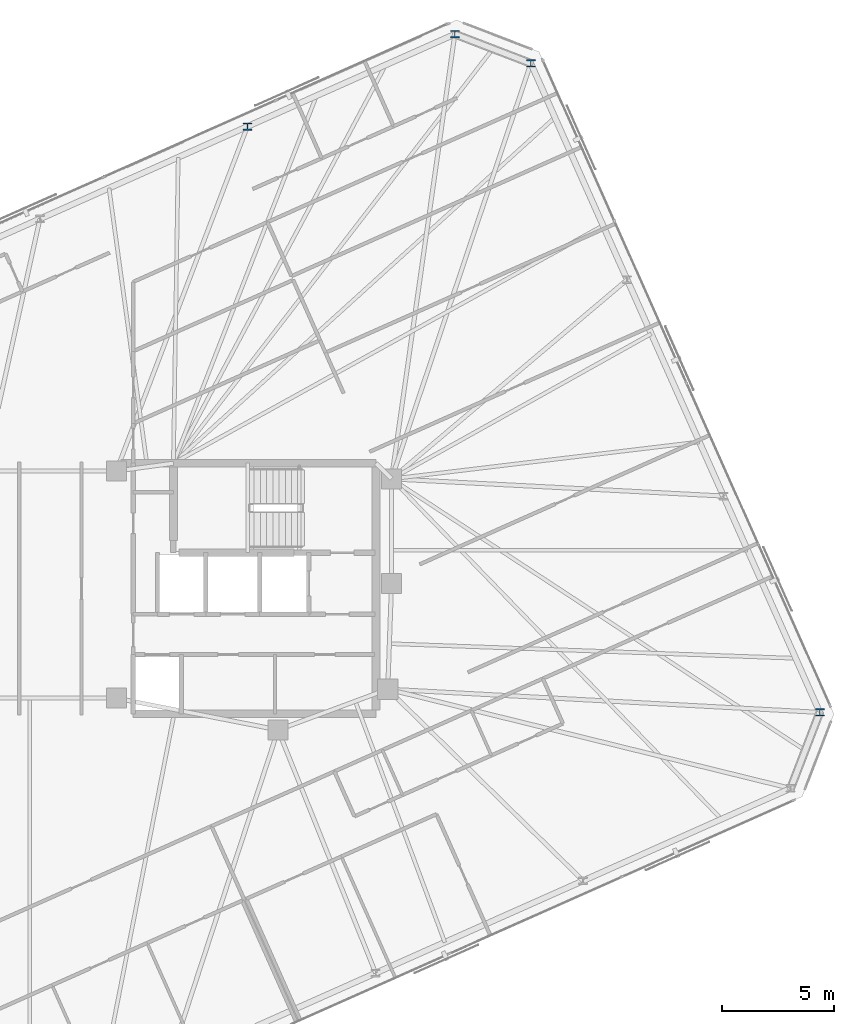
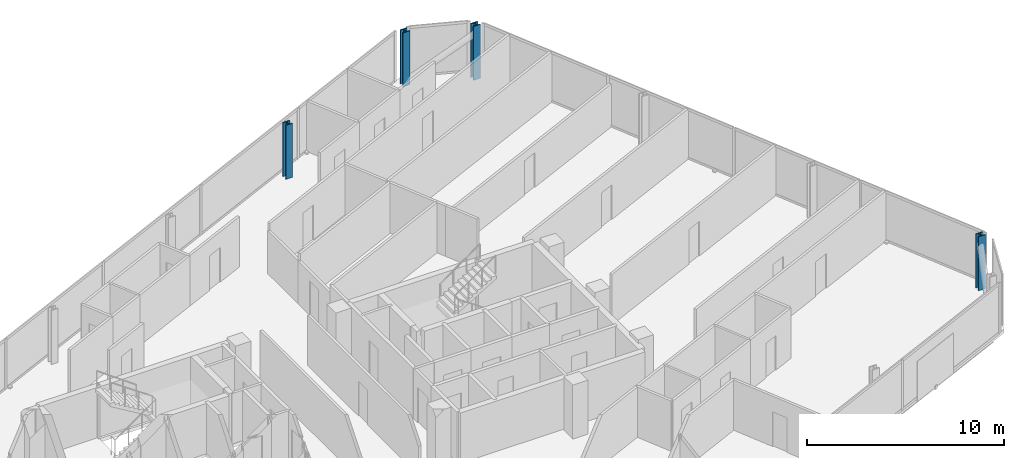
# One storey, part 4 of 19: 4 columns.
"""IFC4 building model written with IfcOpenShell, lengths in metres."""

from ifc_helpers import new_model, si_unit, direction, frame, origin, origin_2d, place, context, subcontext, project, spatial, i_section, extrude, material, material_profile, profile_set, type_object, element, save


model = new_model("IFC4")

# Units and contexts
model_context = context("Model", 3, precision=1e-05, world=origin(), true_north=direction((0.0, 1.0)))
body_context = subcontext(model_context, "Body", "Model", "MODEL_VIEW")
ifc_project = project(units=[si_unit("LENGTHUNIT", "METRE"), si_unit("AREAUNIT", "SQUARE_METRE"), si_unit("VOLUMEUNIT", "CUBIC_METRE"), si_unit("PLANEANGLEUNIT", "RADIAN"), si_unit("MASSUNIT", "GRAM", prefix="KILO")], contexts=[model_context])

# Site, building, storey
site_placement = place(None, origin())
site = spatial("IfcSite", under=ifc_project, at=site_placement, CompositionType="ELEMENT")
building_placement = place(site_placement, origin())
building = spatial("IfcBuilding", under=site, at=building_placement, Name="Menara Jurai Vektor", CompositionType="ELEMENT")
storey_placement = place(building_placement, frame((0.0, 0.0, 281.89990234375)))
storey = spatial("IfcBuildingStorey", under=building, at=storey_placement, Name="L75", CompositionType="ELEMENT", Elevation=281.89990234375)

# Columns
ifc_material = material(Name="Steel S460", Category="steel")
ifc_material_profile = material_profile(ifc_material, i_section(OverallWidth=0.40087890625, OverallDepth=0.3349609375, WebThickness=0.035888671875, FlangeThickness=0.05810546875, FilletRadius=0.014892578125, at=origin_2d()), Name="HD 400x463")
ifc_profile_set = profile_set([ifc_material_profile], Name="Steel S460")
column_type = type_object("IfcColumnType", Name="STR-EXO-BLK5", PredefinedType="COLUMN", material=ifc_profile_set)
for number, where, z_axis, x_axis, name in (
    (1, (34.3916015625, -5.536865234375, 0.0), (0.0, 0.0, 1.0), (1.0, 0.0, 0.0), "Exoskeleton Column BLK5-E1 L75"),
    (2, (21.4755859375, 23.473388671875, 0.0), (0.0, 0.0, 1.0), (1.0, 0.0, 0.0), "Exoskeleton Column BLK5-E4 L75"),
    (3, (18.07958984375, 24.777099609375, 0.0), (0.0, 0.0, 1.0), (1.0, 0.0, 0.0), "Exoskeleton Column BLK5-N1 L75"),
    (4, (8.805908203125, 20.648193359375, 0.0), (0.0, 0.0, 1.0), (1.0, 0.0, 0.0), "Exoskeleton Column BLK5-N2 L75"),
):
    element("IfcColumn", number, at=place(storey_placement, frame(where, z_axis=z_axis, x_axis=x_axis)), inside=storey, type_object=column_type, Name=name, PredefinedType="COLUMN", context=body_context, shape_type="SweptSolid", body=[
        extrude(i_section(OverallWidth=0.40087890625, OverallDepth=0.3349609375, WebThickness=0.035888671875, FlangeThickness=0.05810546875, FilletRadius=0.014892578125, at=origin_2d()), origin(), (0.0, 0.0, 1.0), 3.35009765625),
    ])

save(model, "model.ifc")
